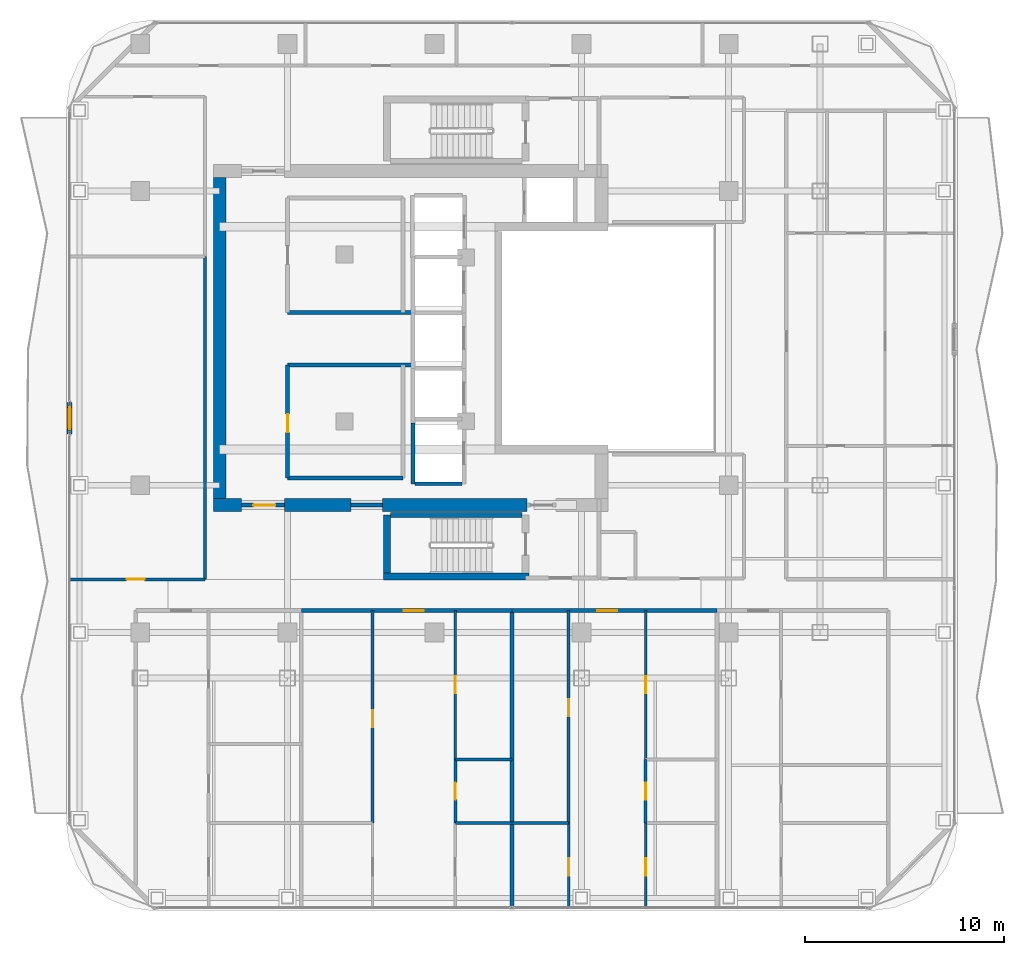
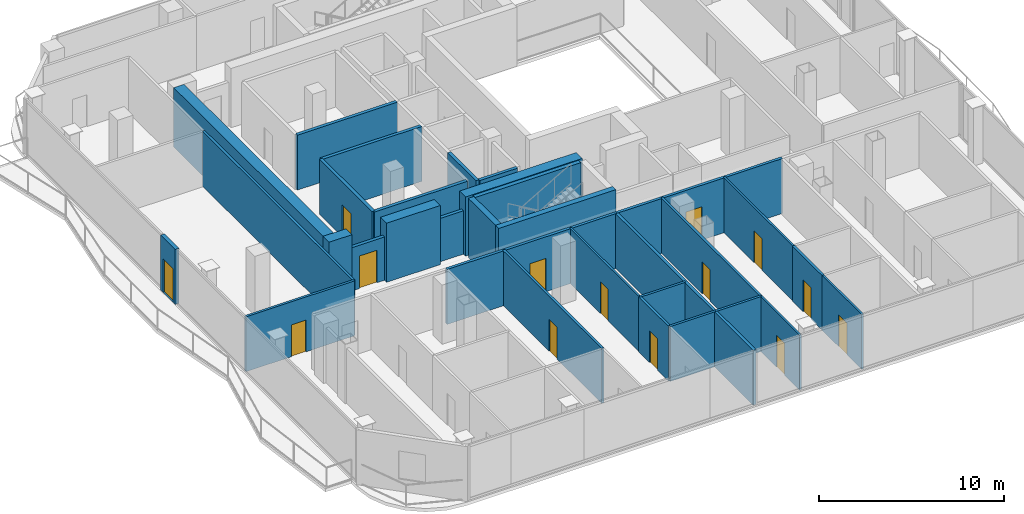
# One storey, part 20 of 26: 32 walls, 14 doors, 14 openings.
"""IFC4 building model written with IfcOpenShell, lengths in metres."""

from ifc_helpers import new_model, si_unit, direction, frame, frame_2d, origin, place, context, subcontext, project, spatial, rectangle, extrude, material, layer, layer_set, type_object, element, fill, save


model = new_model("IFC4")

# Units and contexts
model_context = context("Model", 3, precision=1e-05, world=origin(), true_north=direction((0.0, 1.0)))
body_context = subcontext(model_context, "Body", "Model", "MODEL_VIEW")
ifc_project = project(units=[si_unit("LENGTHUNIT", "METRE"), si_unit("AREAUNIT", "SQUARE_METRE"), si_unit("VOLUMEUNIT", "CUBIC_METRE"), si_unit("PLANEANGLEUNIT", "RADIAN"), si_unit("MASSUNIT", "GRAM", prefix="KILO")], contexts=[model_context])

# Site, building, storey
site_placement = place(None, origin())
site = spatial("IfcSite", under=ifc_project, at=site_placement, CompositionType="ELEMENT")
building_placement = place(site_placement, origin())
building = spatial("IfcBuilding", under=site, at=building_placement, Name="Khorvyn Point Tower", CompositionType="ELEMENT")
storey_placement = place(building_placement, frame((0.0, 0.0, 250.800048828125)))
storey = spatial("IfcBuildingStorey", under=building, at=storey_placement, Name="L61", CompositionType="ELEMENT", Elevation=250.800048828125)

# Wall, opening, door
ifc_material_1 = material(Name="Double acoustic gypsum on twin steel stud", Category="steel")
ifc_layer_1 = layer(ifc_material_1, 0.179931640625)
ifc_layer_set_1 = layer_set([ifc_layer_1], Name="Acoustic Double-Stud Apartment Demising Wall 180")
wall_type_1 = type_object("IfcWallType", Name="Acoustic Double-Stud Apartment Demising Wall 180", PredefinedType="PARTITIONING", material=ifc_layer_set_1)
wall_1_placement = place(storey_placement, frame((-6.695068359375, -13.699951171875, 0.0), z_axis=(0.0, 0.0, 1.0), x_axis=(1.0, 0.0, 0.0)))
wall_1 = element("IfcWall", 1, at=wall_1_placement, inside=storey, type_object=wall_type_1, Name="Wall", PredefinedType="PARTITIONING", context=body_context, shape_type="SweptSolid", body=[
    extrude(rectangle(XDim=10.594970703125, YDim=0.179931640625, at=frame_2d((5.29736328125, 0.0))), origin(), (0.0, 0.0, 1.0), 3.619873046875),
])
opening_1_placement = place(wall_1_placement, frame((5.154296875, 0.0, 0.0)))
opening_1 = element("IfcOpeningElement", 2, at=opening_1_placement, cuts=wall_1, Name="Opening ID-AP60", PredefinedType="OPENING", context=body_context, shape_type="SweptSolid", body=[
    extrude(rectangle(XDim=1.0, YDim=2.199951171875, at=frame_2d((0.5, 1.10009765625))), frame((0.0, 0.099853515625, 0.0), z_axis=(0.0, -1.0, 0.0), x_axis=(1.0, 0.0, 0.0)), (0.0, 0.0, 1.0), 0.199951171875),
])
ifc_material_2 = material(Name="Engineered hardwood fire-rated leaf", Category="wood")
door_type_1 = type_object("IfcDoorType", Name="Acoustic Solid-Core Timber Apartment Entrance Door 1000x2200", OperationType="NOTDEFINED", PredefinedType="DOOR", material=ifc_material_2)
door_1_placement = place(opening_1_placement, origin())
door_1 = element("IfcDoor", 3, at=door_1_placement, inside=storey, type_object=door_type_1, Name="Door", OperationType="SINGLE_SWING_RIGHT", OverallHeight=2.199951171875, OverallWidth=1.0, PredefinedType="DOOR", context=body_context, shape_type="SweptSolid", body=[
    extrude(rectangle(XDim=1.0, YDim=2.199951171875, at=frame_2d((0.5, 1.10009765625))), frame((0.0, 0.02490234375, 0.0), z_axis=(0.0, -1.0, 0.0), x_axis=(1.0, 0.0, 0.0)), (0.0, 0.0, 1.0), 0.050048828125),
])
fill(opening_1, door_1)

wall_2_placement = place(storey_placement, frame((3.89990234375, -13.699951171875, 0.0), z_axis=(0.0, 0.0, 1.0), x_axis=(1.0, 0.0, 0.0)))
wall_2 = element("IfcWall", 4, at=wall_2_placement, inside=storey, type_object=wall_type_1, Name="Wall", PredefinedType="PARTITIONING", context=body_context, shape_type="SweptSolid", body=[
    extrude(rectangle(XDim=10.31103515625, YDim=0.179931640625, at=frame_2d((5.155517578125, 0.0))), origin(), (0.0, 0.0, 1.0), 3.619873046875),
])
opening_2_placement = place(wall_2_placement, frame((4.2958984375, 0.0, 0.0)))
opening_2 = element("IfcOpeningElement", 5, at=opening_2_placement, cuts=wall_2, Name="Opening ID-AP60", PredefinedType="OPENING", context=body_context, shape_type="SweptSolid", body=[
    extrude(rectangle(XDim=1.0, YDim=2.199951171875, at=frame_2d((0.5, 1.10009765625))), frame((0.0, 0.099853515625, 0.0), z_axis=(0.0, -1.0, 0.0), x_axis=(1.0, 0.0, 0.0)), (0.0, 0.0, 1.0), 0.199951171875),
])
door_2_placement = place(opening_2_placement, origin())
door_2 = element("IfcDoor", 6, at=door_2_placement, inside=storey, type_object=door_type_1, Name="Door", OperationType="SINGLE_SWING_RIGHT", OverallHeight=2.199951171875, OverallWidth=1.0, PredefinedType="DOOR", context=body_context, shape_type="SweptSolid", body=[
    extrude(rectangle(XDim=1.0, YDim=2.199951171875, at=frame_2d((0.5, 1.10009765625))), frame((0.0, 0.02490234375, 0.0), z_axis=(0.0, -1.0, 0.0), x_axis=(1.0, 0.0, 0.0)), (0.0, 0.0, 1.0), 0.050048828125),
])
fill(opening_2, door_2)

# Wall
wall_3_placement = place(storey_placement, frame((3.89990234375, -28.6298828125, 0.0), z_axis=(0.0, 0.0, 1.0), x_axis=(0.0, 1.0, 0.0)))
element("IfcWall", 7, at=wall_3_placement, inside=storey, type_object=wall_type_1, Name="Wall", PredefinedType="PARTITIONING", context=body_context, shape_type="SweptSolid", body=[
    extrude(rectangle(XDim=14.929931640625, YDim=0.179931640625, at=frame_2d((7.46484375, 0.0))), origin(), (0.0, 0.0, 1.0), 3.619873046875),
])

# Wall, opening, door
ifc_material_3 = material(Name="Pale anodised aluminium rainscreen on steel stud", Category="steel")
ifc_layer_2 = layer(ifc_material_3, 0.239990234375)
ifc_layer_set_2 = layer_set([ifc_layer_2], Name="Anodised Aluminium Insulated Corner Spandrel Wall 240")
wall_type_2 = type_object("IfcWallType", Name="Anodised Aluminium Insulated Corner Spandrel Wall 240", PredefinedType="SOLIDWALL", material=ifc_layer_set_2)
wall_4_placement = place(storey_placement, frame((-18.35009765625, -4.820068359375, 0.0), z_axis=(0.0, 0.0, 1.0), x_axis=(0.0, 1.0, 0.0)))
wall_4 = element("IfcWall", 8, at=wall_4_placement, inside=storey, type_object=wall_type_2, Name="L61 West Outdoor Threshold Wall", PredefinedType="SOLIDWALL", context=body_context, shape_type="SweptSolid", body=[
    extrude(rectangle(XDim=1.580078125, YDim=0.239990234375, at=frame_2d((0.7900390625, 0.0))), origin(), (0.0, 0.0, 1.0), 3.619873046875),
])
opening_3_placement = place(wall_4_placement, frame((0.239990234375, 0.0, 0.0)))
opening_3 = element("IfcOpeningElement", 9, at=opening_3_placement, cuts=wall_4, Name="Opening BD-1122", PredefinedType="OPENING", context=body_context, shape_type="SweptSolid", body=[
    extrude(rectangle(XDim=1.10009765625, YDim=2.199951171875, at=frame_2d((0.550048828125, 1.10009765625))), frame((0.0, 0.1298828125, 0.0), z_axis=(0.0, -1.0, 0.0), x_axis=(1.0, 0.0, 0.0)), (0.0, 0.0, 1.0), 0.260009765625),
])
ifc_material_4 = material(Name="Anodised aluminium 6063-T6 and laminated Low-E glass", Category="aluminium")
door_type_2 = type_object("IfcDoorType", Name="Glazed Balcony and Terrace Threshold Door 1100x2200", OperationType="NOTDEFINED", PredefinedType="DOOR", material=ifc_material_4)
door_3_placement = place(opening_3_placement, origin())
door_3 = element("IfcDoor", 10, at=door_3_placement, inside=storey, type_object=door_type_2, Name="L61 West Glazed Balcony Outdoor Door", OperationType="SINGLE_SWING_RIGHT", OverallHeight=2.199951171875, OverallWidth=1.10009765625, PredefinedType="DOOR", context=body_context, shape_type="SweptSolid", body=[
    extrude(rectangle(XDim=1.10009765625, YDim=2.199951171875, at=frame_2d((0.550048828125, 1.10009765625))), frame((0.0, 0.02490234375, 0.0), z_axis=(0.0, -1.0, 0.0), x_axis=(1.0, 0.0, 0.0)), (0.0, 0.0, 1.0), 0.050048828125),
])
fill(opening_3, door_3)

# Walls
ifc_material_5 = material(Name="Concrete C40/50", Category="concrete")
ifc_layer_3 = layer(ifc_material_5, 0.64990234375)
ifc_layer_set_3 = layer_set([ifc_layer_3], Name="Concrete C40/50 Core Shear Wall 650")
wall_type_3 = type_object("IfcWallType", Name="Concrete C40/50 Core Shear Wall 650", PredefinedType="SHEAR", material=ifc_layer_set_3)
wall_5_placement = place(storey_placement, frame((-11.125, -8.39990234375, 0.0), z_axis=(0.0, 0.0, 1.0), x_axis=(1.0, 0.0, 0.0)))
element("IfcWall", 11, at=wall_5_placement, inside=storey, type_object=wall_type_3, Name="Wall", PredefinedType="SHEAR", context=body_context, shape_type="SweptSolid", body=[
    extrude(rectangle(XDim=1.425048828125, YDim=0.64990234375, at=frame_2d((0.71240234375, 0.0))), origin(), (0.0, 0.0, 1.0), 3.89990234375),
])
wall_6_placement = place(storey_placement, frame((-7.550048828125, -8.39990234375, 0.0), z_axis=(0.0, 0.0, 1.0), x_axis=(1.0, 0.0, 0.0)))
element("IfcWall", 12, at=wall_6_placement, inside=storey, type_object=wall_type_3, Name="Wall", PredefinedType="SHEAR", context=body_context, shape_type="SweptSolid", body=[
    extrude(rectangle(XDim=3.35009765625, YDim=0.64990234375, at=frame_2d((1.675048828125, 0.0))), origin(), (0.0, 0.0, 1.0), 3.89990234375),
])
wall_7_placement = place(storey_placement, frame((-2.6201171875, -8.39990234375, 0.0), z_axis=(0.0, 0.0, 1.0), x_axis=(1.0, 0.0, 0.0)))
element("IfcWall", 13, at=wall_7_placement, inside=storey, type_object=wall_type_3, Name="Wall", PredefinedType="SHEAR", context=body_context, shape_type="SweptSolid", body=[
    extrude(rectangle(XDim=7.27001953125, YDim=0.64990234375, at=frame_2d((3.635009765625, 0.0))), origin(), (0.0, 0.0, 1.0), 3.89990234375),
])
wall_8_placement = place(storey_placement, frame((-10.800048828125, -8.074951171875, 0.0), z_axis=(0.0, 0.0, 1.0), x_axis=(0.0, 1.0, 0.0)))
element("IfcWall", 14, at=wall_8_placement, inside=storey, type_object=wall_type_3, Name="Wall", PredefinedType="SHEAR", context=body_context, shape_type="SweptSolid", body=[
    extrude(rectangle(XDim=16.14990234375, YDim=0.64990234375, at=frame_2d((8.074951171875, 0.0))), origin(), (0.0, 0.0, 1.0), 3.89990234375),
])

# Wall, opening, door
ifc_layer_4 = layer(ifc_material_5, 0.199951171875)
ifc_layer_set_4 = layer_set([ifc_layer_4], Name="Concrete C40/50 Fire-Lobby Compartment Wall 200")
wall_type_4 = type_object("IfcWallType", Name="Concrete C40/50 Fire-Lobby Compartment Wall 200", PredefinedType="SOLIDWALL", material=ifc_layer_set_4)
wall_9_placement = place(storey_placement, frame((-9.699951171875, -8.39990234375, 0.0), z_axis=(0.0, 0.0, 1.0), x_axis=(1.0, 0.0, 0.0)))
wall_9 = element("IfcWall", 15, at=wall_9_placement, inside=storey, type_object=wall_type_4, Name="Wall", PredefinedType="SOLIDWALL", context=body_context, shape_type="SweptSolid", body=[
    extrude(rectangle(XDim=2.14990234375, YDim=0.199951171875, at=frame_2d((1.074951171875, 0.0))), origin(), (0.0, 0.0, 1.0), 2.85986328125),
])
opening_4_placement = place(wall_9_placement, frame((0.597900390625, 0.0, 0.0)))
opening_4 = element("IfcOpeningElement", 16, at=opening_4_placement, cuts=wall_9, Name="Opening ID-FL90", PredefinedType="OPENING", context=body_context, shape_type="SweptSolid", body=[
    extrude(rectangle(XDim=1.10009765625, YDim=2.14990234375, at=frame_2d((0.550048828125, 1.074951171875))), frame((0.0, 0.10986328125, 0.0), z_axis=(0.0, -1.0, 0.0), x_axis=(1.0, 0.0, 0.0)), (0.0, 0.0, 1.0), 0.219970703125),
])
ifc_material_6 = material(Name="Galvanised powder-coated steel", Category="steel")
door_type_3 = type_object("IfcDoorType", Name="Fire-Rated Steel Lobby and Stair Door 1100x2150", OperationType="NOTDEFINED", PredefinedType="DOOR", material=ifc_material_6)
door_4_placement = place(opening_4_placement, origin())
door_4 = element("IfcDoor", 17, at=door_4_placement, inside=storey, type_object=door_type_3, Name="Door", OperationType="SINGLE_SWING_LEFT", OverallHeight=2.14990234375, OverallWidth=1.10009765625, PredefinedType="DOOR", context=body_context, shape_type="SweptSolid", body=[
    extrude(rectangle(XDim=1.10009765625, YDim=2.14990234375, at=frame_2d((0.550048828125, 1.074951171875))), frame((0.0, 0.02490234375, 0.0), z_axis=(0.0, -1.0, 0.0), x_axis=(1.0, 0.0, 0.0)), (0.0, 0.0, 1.0), 0.050048828125),
])
fill(opening_4, door_4)

wall_10_placement = place(storey_placement, frame((-7.3798828125, -7.0400390625, 0.0), z_axis=(0.0, 0.0, 1.0), x_axis=(0.0, 1.0, 0.0)))
wall_10 = element("IfcWall", 18, at=wall_10_placement, inside=storey, type_object=wall_type_4, Name="Wall", PredefinedType="SOLIDWALL", context=body_context, shape_type="SweptSolid", body=[
    extrude(rectangle(XDim=5.699951171875, YDim=0.199951171875, at=frame_2d((2.85009765625, 0.0))), origin(), (0.0, 0.0, 1.0), 3.619873046875),
])
opening_5_placement = place(wall_10_placement, frame((2.30078125, 0.0, 0.0)))
opening_5 = element("IfcOpeningElement", 19, at=opening_5_placement, cuts=wall_10, Name="Opening ID-RS60", PredefinedType="OPENING", context=body_context, shape_type="SweptSolid", body=[
    extrude(rectangle(XDim=0.919921875, YDim=2.10009765625, at=frame_2d((0.4599609375, 1.050048828125))), frame((0.0, 0.10986328125, 0.0), z_axis=(0.0, -1.0, 0.0), x_axis=(1.0, 0.0, 0.0)), (0.0, 0.0, 1.0), 0.219970703125),
])
door_type_4 = type_object("IfcDoorType", Name="Fire-Rated Riser and Store Steel Door 920x2100", OperationType="NOTDEFINED", PredefinedType="DOOR", material=ifc_material_6)
door_5_placement = place(opening_5_placement, origin())
door_5 = element("IfcDoor", 20, at=door_5_placement, inside=storey, type_object=door_type_4, Name="Door", OperationType="SINGLE_SWING_LEFT", OverallHeight=2.10009765625, OverallWidth=0.919921875, PredefinedType="DOOR", context=body_context, shape_type="SweptSolid", body=[
    extrude(rectangle(XDim=0.919921875, YDim=2.10009765625, at=frame_2d((0.4599609375, 1.050048828125))), frame((0.0, 0.02490234375, 0.0), z_axis=(0.0, -1.0, 0.0), x_axis=(1.0, 0.0, 0.0)), (0.0, 0.0, 1.0), 0.050048828125),
])
fill(opening_5, door_5)

# Walls
wall_11_placement = place(storey_placement, frame((-4.199951171875, -8.39990234375, 0.0), z_axis=(0.0, 0.0, 1.0), x_axis=(1.0, 0.0, 0.0)))
element("IfcWall", 21, at=wall_11_placement, inside=storey, type_object=wall_type_4, Name="Wall", PredefinedType="SOLIDWALL", context=body_context, shape_type="SweptSolid", body=[
    extrude(rectangle(XDim=1.579833984375, YDim=0.199951171875, at=frame_2d((0.7900390625, 0.0))), origin(), (0.0, 0.0, 1.0), 2.85986328125),
])
for number, where, z_axis, x_axis, name in (
    (22, (-7.3798828125, -1.340087890625, 0.0), (0.0, 0.0, 1.0), (1.0, 0.0, 0.0), "Wall"),
    (23, (-7.3798828125, 1.300048828125, 0.0), (0.0, 0.0, 1.0), (1.0, 0.0, 0.0), "Wall"),
):
    element("IfcWall", number, at=place(storey_placement, frame(where, z_axis=z_axis, x_axis=x_axis)), inside=storey, type_object=wall_type_4, Name=name, PredefinedType="SOLIDWALL", context=body_context, shape_type="SweptSolid", body=[
        extrude(rectangle(XDim=6.239990234375, YDim=0.199951171875, at=frame_2d((3.1201171875, 0.0))), origin(), (0.0, 0.0, 1.0), 3.619873046875),
    ])
wall_12_placement = place(storey_placement, frame((-7.3798828125, -7.0400390625, 0.0), z_axis=(0.0, 0.0, 1.0), x_axis=(1.0, 0.0, 0.0)))
element("IfcWall", 24, at=wall_12_placement, inside=storey, type_object=wall_type_4, Name="Wall", PredefinedType="SOLIDWALL", context=body_context, shape_type="SweptSolid", body=[
    extrude(rectangle(XDim=5.7998046875, YDim=0.199951171875, at=frame_2d((2.89990234375, 0.0))), origin(), (0.0, 0.0, 1.0), 3.619873046875),
])
ifc_layer_5 = layer(ifc_material_5, 0.25)
ifc_layer_set_5 = layer_set([ifc_layer_5], Name="Concrete C40/50 Stair Inner Cheek Structural Wall 250")
wall_type_5 = type_object("IfcWallType", Name="Concrete C40/50 Stair Inner Cheek Structural Wall 250", PredefinedType="SHEAR", material=ifc_layer_set_5)
wall_13_placement = place(storey_placement, frame((-2.199951171875, -8.89990234375, 0.0), z_axis=(0.0, 0.0, 1.0), x_axis=(1.0, 0.0, 0.0)))
element("IfcWall", 25, at=wall_13_placement, inside=storey, type_object=wall_type_5, Name="Wall", PredefinedType="SHEAR", context=body_context, shape_type="SweptSolid", body=[
    extrude(rectangle(XDim=6.599853515625, YDim=0.25, at=frame_2d((3.2998046875, 0.0))), origin(), (0.0, 0.0, 1.0), 3.89990234375),
])
ifc_layer_6 = layer(ifc_material_5, 0.35009765625)
ifc_layer_set_6 = layer_set([ifc_layer_6], Name="Concrete C40/50 Stair Shaft Structural Wall 350")
wall_type_6 = type_object("IfcWallType", Name="Concrete C40/50 Stair Shaft Structural Wall 350", PredefinedType="SHEAR", material=ifc_layer_set_6)
wall_14_placement = place(storey_placement, frame((-2.554931640625, -12.0, 0.0), z_axis=(0.0, 0.0, 1.0), x_axis=(1.0, 0.0, 0.0)))
element("IfcWall", 26, at=wall_14_placement, inside=storey, type_object=wall_type_6, Name="L61 ST-01 South Shaft Wall", PredefinedType="SHEAR", context=body_context, shape_type="SweptSolid", body=[
    extrude(rectangle(XDim=7.309814453125, YDim=0.35009765625, at=frame_2d((3.65478515625, 0.0))), origin(), (0.0, 0.0, 1.0), 3.89990234375),
])
wall_15_placement = place(storey_placement, frame((-2.3798828125, -11.824951171875, 0.0), z_axis=(0.0, 0.0, 1.0), x_axis=(0.0, 1.0, 0.0)))
element("IfcWall", 27, at=wall_15_placement, inside=storey, type_object=wall_type_6, Name="L61 ST-01 West Shaft Wall", PredefinedType="SHEAR", context=body_context, shape_type="SweptSolid", body=[
    extrude(rectangle(XDim=2.925048828125, YDim=0.35009765625, at=frame_2d((1.46240234375, 0.0))), origin(), (0.0, 0.0, 1.0), 3.89990234375),
])
ifc_layer_7 = layer(ifc_material_5, 0.199951171875)
ifc_layer_set_7 = layer_set([ifc_layer_7], Name="Concrete C40/50 Structural Hoistway and Stair Shaft Wall 200")
wall_type_7 = type_object("IfcWallType", Name="Concrete C40/50 Structural Hoistway and Stair Shaft Wall 200", PredefinedType="SHEAR", material=ifc_layer_set_7)
wall_16_placement = place(storey_placement, frame((-1.074951171875, -7.324951171875, 0.0), z_axis=(0.0, 0.0, 1.0), x_axis=(0.0, 1.0, 0.0)))
element("IfcWall", 28, at=wall_16_placement, inside=storey, type_object=wall_type_7, Name="Wall", PredefinedType="SHEAR", context=body_context, shape_type="SweptSolid", body=[
    extrude(rectangle(XDim=3.050048828125, YDim=0.199951171875, at=frame_2d((1.52490234375, 0.0))), origin(), (0.0, 0.0, 1.0), 3.619873046875),
])
wall_17_placement = place(storey_placement, frame((-0.97509765625, -7.324951171875, 0.0), z_axis=(0.0, 0.0, 1.0), x_axis=(1.0, 0.0, 0.0)))
element("IfcWall", 29, at=wall_17_placement, inside=storey, type_object=wall_type_7, Name="Wall", PredefinedType="SHEAR", context=body_context, shape_type="SweptSolid", body=[
    extrude(rectangle(XDim=2.35009765625, YDim=0.199951171875, at=frame_2d((1.175048828125, 0.0))), origin(), (0.0, 0.0, 1.0), 3.619873046875),
])

# Wall, opening, door
ifc_material_7 = material(Name="Gypsum plasterboard on steel stud", Category="steel")
ifc_layer_8 = layer(ifc_material_7, 0.1201171875)
ifc_layer_set_8 = layer_set([ifc_layer_8], Name="Gypsum Acoustic Stud Room Partition Wall 120")
wall_type_8 = type_object("IfcWallType", Name="Gypsum Acoustic Stud Room Partition Wall 120", PredefinedType="PARTITIONING", material=ifc_layer_set_8)
wall_18_placement = place(storey_placement, frame((1.050048828125, -21.18310546875, 0.0), z_axis=(0.0, 0.0, 1.0), x_axis=(0.0, 1.0, 0.0)))
wall_18 = element("IfcWall", 30, at=wall_18_placement, inside=storey, type_object=wall_type_8, Name="Wall", PredefinedType="PARTITIONING", context=body_context, shape_type="SweptSolid", body=[
    extrude(rectangle(XDim=7.483154296875, YDim=0.1201171875, at=frame_2d((3.74169921875, 0.0))), origin(), (0.0, 0.0, 1.0), 3.619873046875),
])
opening_6_placement = place(wall_18_placement, frame((3.31640625, 0.0, 0.0)))
opening_6 = element("IfcOpeningElement", 31, at=opening_6_placement, cuts=wall_18, Name="Opening ID-WC85", PredefinedType="OPENING", context=body_context, shape_type="SweptSolid", body=[
    extrude(rectangle(XDim=0.85009765625, YDim=2.10009765625, at=frame_2d((0.425048828125, 1.050048828125))), frame((0.0, 0.070068359375, 0.0), z_axis=(0.0, -1.0, 0.0), x_axis=(1.0, 0.0, 0.0)), (0.0, 0.0, 1.0), 0.14013671875),
])
ifc_material_8 = material(Name="High-pressure laminate on moisture-resistant core", Category="wood")
door_type_5 = type_object("IfcDoorType", Name="Moisture-Resistant Accessible Washroom Door 850x2100", OperationType="NOTDEFINED", PredefinedType="DOOR", material=ifc_material_8)
door_6_placement = place(opening_6_placement, origin())
door_6 = element("IfcDoor", 32, at=door_6_placement, inside=storey, type_object=door_type_5, Name="Door", OperationType="SINGLE_SWING_RIGHT", OverallHeight=2.10009765625, OverallWidth=0.85009765625, PredefinedType="DOOR", context=body_context, shape_type="SweptSolid", body=[
    extrude(rectangle(XDim=0.85009765625, YDim=2.10009765625, at=frame_2d((0.425048828125, 1.050048828125))), frame((0.0, 0.02490234375, 0.0), z_axis=(0.0, -1.0, 0.0), x_axis=(1.0, 0.0, 0.0)), (0.0, 0.0, 1.0), 0.050048828125),
])
fill(opening_6, door_6)

wall_19_placement = place(storey_placement, frame((6.75, -28.6298828125, 0.0), z_axis=(0.0, 0.0, 1.0), x_axis=(0.0, 1.0, 0.0)))
wall_19 = element("IfcWall", 33, at=wall_19_placement, inside=storey, type_object=wall_type_8, Name="Wall", PredefinedType="PARTITIONING", context=body_context, shape_type="SweptSolid", body=[
    extrude(rectangle(XDim=4.239990234375, YDim=0.1201171875, at=frame_2d((2.1201171875, 0.0))), origin(), (0.0, 0.0, 1.0), 3.619873046875),
])
opening_7_placement = place(wall_19_placement, frame((1.581298828125, 0.0, 0.0)))
opening_7 = element("IfcOpeningElement", 34, at=opening_7_placement, cuts=wall_19, Name="Opening ID-RM90", PredefinedType="OPENING", context=body_context, shape_type="SweptSolid", body=[
    extrude(rectangle(XDim=0.89990234375, YDim=2.10009765625, at=frame_2d((0.449951171875, 1.050048828125))), frame((0.0, 0.070068359375, 0.0), z_axis=(0.0, -1.0, 0.0), x_axis=(1.0, 0.0, 0.0)), (0.0, 0.0, 1.0), 0.14013671875),
])
ifc_material_9 = material(Name="Engineered oak veneer timber", Category="wood")
door_type_6 = type_object("IfcDoorType", Name="Flush Engineered Timber Room Door 900x2100", OperationType="NOTDEFINED", PredefinedType="DOOR", material=ifc_material_9)
door_7_placement = place(opening_7_placement, origin())
door_7 = element("IfcDoor", 35, at=door_7_placement, inside=storey, type_object=door_type_6, Name="Door", OperationType="SINGLE_SWING_RIGHT", OverallHeight=2.10009765625, OverallWidth=0.89990234375, PredefinedType="DOOR", context=body_context, shape_type="SweptSolid", body=[
    extrude(rectangle(XDim=0.89990234375, YDim=2.10009765625, at=frame_2d((0.449951171875, 1.050048828125))), frame((0.0, 0.02490234375, 0.0), z_axis=(0.0, -1.0, 0.0), x_axis=(1.0, 0.0, 0.0)), (0.0, 0.0, 1.0), 0.050048828125),
])
fill(opening_7, door_7)

wall_20_placement = place(storey_placement, frame((10.625, -21.18310546875, 0.0), z_axis=(0.0, 0.0, 1.0), x_axis=(0.0, 1.0, 0.0)))
wall_20 = element("IfcWall", 36, at=wall_20_placement, inside=storey, type_object=wall_type_8, Name="Wall", PredefinedType="PARTITIONING", context=body_context, shape_type="SweptSolid", body=[
    extrude(rectangle(XDim=7.483154296875, YDim=0.1201171875, at=frame_2d((3.74169921875, 0.0))), origin(), (0.0, 0.0, 1.0), 3.619873046875),
])
opening_8_placement = place(wall_20_placement, frame((3.31640625, 0.0, 0.0)))
opening_8 = element("IfcOpeningElement", 37, at=opening_8_placement, cuts=wall_20, Name="Opening ID-WC85", PredefinedType="OPENING", context=body_context, shape_type="SweptSolid", body=[
    extrude(rectangle(XDim=0.85009765625, YDim=2.10009765625, at=frame_2d((0.425048828125, 1.050048828125))), frame((0.0, 0.070068359375, 0.0), z_axis=(0.0, -1.0, 0.0), x_axis=(1.0, 0.0, 0.0)), (0.0, 0.0, 1.0), 0.14013671875),
])
door_8_placement = place(opening_8_placement, origin())
door_8 = element("IfcDoor", 38, at=door_8_placement, inside=storey, type_object=door_type_5, Name="Door", OperationType="SINGLE_SWING_RIGHT", OverallHeight=2.10009765625, OverallWidth=0.85009765625, PredefinedType="DOOR", context=body_context, shape_type="SweptSolid", body=[
    extrude(rectangle(XDim=0.85009765625, YDim=2.10009765625, at=frame_2d((0.425048828125, 1.050048828125))), frame((0.0, 0.02490234375, 0.0), z_axis=(0.0, -1.0, 0.0), x_axis=(1.0, 0.0, 0.0)), (0.0, 0.0, 1.0), 0.050048828125),
])
fill(opening_8, door_8)

wall_21_placement = place(storey_placement, frame((10.625, -28.6298828125, 0.0), z_axis=(0.0, 0.0, 1.0), x_axis=(0.0, 1.0, 0.0)))
wall_21 = element("IfcWall", 39, at=wall_21_placement, inside=storey, type_object=wall_type_8, Name="Wall", PredefinedType="PARTITIONING", context=body_context, shape_type="SweptSolid", body=[
    extrude(rectangle(XDim=4.239990234375, YDim=0.1201171875, at=frame_2d((2.1201171875, 0.0))), origin(), (0.0, 0.0, 1.0), 3.619873046875),
])
opening_9_placement = place(wall_21_placement, frame((1.581298828125, 0.0, 0.0)))
opening_9 = element("IfcOpeningElement", 40, at=opening_9_placement, cuts=wall_21, Name="Opening ID-RM90", PredefinedType="OPENING", context=body_context, shape_type="SweptSolid", body=[
    extrude(rectangle(XDim=0.89990234375, YDim=2.10009765625, at=frame_2d((0.449951171875, 1.050048828125))), frame((0.0, 0.070068359375, 0.0), z_axis=(0.0, -1.0, 0.0), x_axis=(1.0, 0.0, 0.0)), (0.0, 0.0, 1.0), 0.14013671875),
])
door_9_placement = place(opening_9_placement, origin())
door_9 = element("IfcDoor", 41, at=door_9_placement, inside=storey, type_object=door_type_6, Name="Door", OperationType="SINGLE_SWING_LEFT", OverallHeight=2.10009765625, OverallWidth=0.89990234375, PredefinedType="DOOR", context=body_context, shape_type="SweptSolid", body=[
    extrude(rectangle(XDim=0.89990234375, YDim=2.10009765625, at=frame_2d((0.449951171875, 1.050048828125))), frame((0.0, 0.02490234375, 0.0), z_axis=(0.0, -1.0, 0.0), x_axis=(1.0, 0.0, 0.0)), (0.0, 0.0, 1.0), 0.050048828125),
])
fill(opening_9, door_9)

ifc_material_10 = material(Name="Moisture-resistant gypsum and cement board", Category="gypsum")
ifc_layer_9 = layer(ifc_material_10, 0.14990234375)
ifc_layer_set_9 = layer_set([ifc_layer_9], Name="Moisture-Resistant Wet-Room Partition Wall 150")
wall_type_9 = type_object("IfcWallType", Name="Moisture-Resistant Wet-Room Partition Wall 150", PredefinedType="PARTITIONING", material=ifc_layer_set_9)
wall_22_placement = place(storey_placement, frame((-3.114013671875, -24.389892578125, 0.0), z_axis=(0.0, 0.0, 1.0), x_axis=(0.0, 1.0, 0.0)))
wall_22 = element("IfcWall", 42, at=wall_22_placement, inside=storey, type_object=wall_type_9, Name="Wall", PredefinedType="PARTITIONING", context=body_context, shape_type="SweptSolid", body=[
    extrude(rectangle(XDim=10.68994140625, YDim=0.14990234375, at=frame_2d((5.344970703125, 0.0))), origin(), (0.0, 0.0, 1.0), 3.619873046875),
])
opening_10_placement = place(wall_22_placement, frame((4.830078125, 0.0, 0.0)))
opening_10 = element("IfcOpeningElement", 43, at=opening_10_placement, cuts=wall_22, Name="Opening ID-WC85", PredefinedType="OPENING", context=body_context, shape_type="SweptSolid", body=[
    extrude(rectangle(XDim=0.85009765625, YDim=2.10009765625, at=frame_2d((0.425048828125, 1.050048828125))), frame((0.0, 0.0849609375, 0.0), z_axis=(0.0, -1.0, 0.0), x_axis=(1.0, 0.0, 0.0)), (0.0, 0.0, 1.0), 0.169921875),
])
door_10_placement = place(opening_10_placement, origin())
door_10 = element("IfcDoor", 44, at=door_10_placement, inside=storey, type_object=door_type_5, Name="Door", OperationType="SINGLE_SWING_LEFT", OverallHeight=2.10009765625, OverallWidth=0.85009765625, PredefinedType="DOOR", context=body_context, shape_type="SweptSolid", body=[
    extrude(rectangle(XDim=0.85009765625, YDim=2.10009765625, at=frame_2d((0.425048828125, 1.050048828125))), frame((0.0, 0.02490234375, 0.0), z_axis=(0.0, -1.0, 0.0), x_axis=(1.0, 0.0, 0.0)), (0.0, 0.0, 1.0), 0.050048828125),
])
fill(opening_10, door_10)

wall_23_placement = place(storey_placement, frame((1.050048828125, -24.389892578125, 0.0), z_axis=(0.0, 0.0, 1.0), x_axis=(0.0, 1.0, 0.0)))
wall_23 = element("IfcWall", 45, at=wall_23_placement, inside=storey, type_object=wall_type_9, Name="Wall", PredefinedType="PARTITIONING", context=body_context, shape_type="SweptSolid", body=[
    extrude(rectangle(XDim=3.206787109375, YDim=0.14990234375, at=frame_2d((1.603515625, 0.0))), origin(), (0.0, 0.0, 1.0), 3.619873046875),
])
opening_11_placement = place(wall_23_placement, frame((1.178466796875, 0.0, 0.0)))
opening_11 = element("IfcOpeningElement", 46, at=opening_11_placement, cuts=wall_23, Name="Opening ID-WC85", PredefinedType="OPENING", context=body_context, shape_type="SweptSolid", body=[
    extrude(rectangle(XDim=0.85009765625, YDim=2.10009765625, at=frame_2d((0.425048828125, 1.050048828125))), frame((0.0, 0.0849609375, 0.0), z_axis=(0.0, -1.0, 0.0), x_axis=(1.0, 0.0, 0.0)), (0.0, 0.0, 1.0), 0.169921875),
])
door_11_placement = place(opening_11_placement, origin())
door_11 = element("IfcDoor", 47, at=door_11_placement, inside=storey, type_object=door_type_5, Name="Door", OperationType="SINGLE_SWING_LEFT", OverallHeight=2.10009765625, OverallWidth=0.85009765625, PredefinedType="DOOR", context=body_context, shape_type="SweptSolid", body=[
    extrude(rectangle(XDim=0.85009765625, YDim=2.10009765625, at=frame_2d((0.425048828125, 1.050048828125))), frame((0.0, 0.02490234375, 0.0), z_axis=(0.0, -1.0, 0.0), x_axis=(1.0, 0.0, 0.0)), (0.0, 0.0, 1.0), 0.050048828125),
])
fill(opening_11, door_11)

wall_24_placement = place(storey_placement, frame((6.75, -24.389892578125, 0.0), z_axis=(0.0, 0.0, 1.0), x_axis=(0.0, 1.0, 0.0)))
wall_24 = element("IfcWall", 48, at=wall_24_placement, inside=storey, type_object=wall_type_9, Name="Wall", PredefinedType="PARTITIONING", context=body_context, shape_type="SweptSolid", body=[
    extrude(rectangle(XDim=10.68994140625, YDim=0.14990234375, at=frame_2d((5.344970703125, 0.0))), origin(), (0.0, 0.0, 1.0), 3.619873046875),
])
opening_12_placement = place(wall_24_placement, frame((5.369140625, 0.0, 0.0)))
opening_12 = element("IfcOpeningElement", 49, at=opening_12_placement, cuts=wall_24, Name="Opening ID-WC85", PredefinedType="OPENING", context=body_context, shape_type="SweptSolid", body=[
    extrude(rectangle(XDim=0.85009765625, YDim=2.10009765625, at=frame_2d((0.425048828125, 1.050048828125))), frame((0.0, 0.0849609375, 0.0), z_axis=(0.0, -1.0, 0.0), x_axis=(1.0, 0.0, 0.0)), (0.0, 0.0, 1.0), 0.169921875),
])
door_12_placement = place(opening_12_placement, origin())
door_12 = element("IfcDoor", 50, at=door_12_placement, inside=storey, type_object=door_type_5, Name="Door", OperationType="SINGLE_SWING_LEFT", OverallHeight=2.10009765625, OverallWidth=0.85009765625, PredefinedType="DOOR", context=body_context, shape_type="SweptSolid", body=[
    extrude(rectangle(XDim=0.85009765625, YDim=2.10009765625, at=frame_2d((0.425048828125, 1.050048828125))), frame((0.0, 0.02490234375, 0.0), z_axis=(0.0, -1.0, 0.0), x_axis=(1.0, 0.0, 0.0)), (0.0, 0.0, 1.0), 0.050048828125),
])
fill(opening_12, door_12)

wall_25_placement = place(storey_placement, frame((10.625, -24.389892578125, 0.0), z_axis=(0.0, 0.0, 1.0), x_axis=(0.0, 1.0, 0.0)))
wall_25 = element("IfcWall", 51, at=wall_25_placement, inside=storey, type_object=wall_type_9, Name="Wall", PredefinedType="PARTITIONING", context=body_context, shape_type="SweptSolid", body=[
    extrude(rectangle(XDim=3.206787109375, YDim=0.14990234375, at=frame_2d((1.603515625, 0.0))), origin(), (0.0, 0.0, 1.0), 3.619873046875),
])
opening_13_placement = place(wall_25_placement, frame((1.178466796875, 0.0, 0.0)))
opening_13 = element("IfcOpeningElement", 52, at=opening_13_placement, cuts=wall_25, Name="Opening ID-WC85", PredefinedType="OPENING", context=body_context, shape_type="SweptSolid", body=[
    extrude(rectangle(XDim=0.85009765625, YDim=2.10009765625, at=frame_2d((0.425048828125, 1.050048828125))), frame((0.0, 0.0849609375, 0.0), z_axis=(0.0, -1.0, 0.0), x_axis=(1.0, 0.0, 0.0)), (0.0, 0.0, 1.0), 0.169921875),
])
door_13_placement = place(opening_13_placement, origin())
door_13 = element("IfcDoor", 53, at=door_13_placement, inside=storey, type_object=door_type_5, Name="Door", OperationType="SINGLE_SWING_LEFT", OverallHeight=2.10009765625, OverallWidth=0.85009765625, PredefinedType="DOOR", context=body_context, shape_type="SweptSolid", body=[
    extrude(rectangle(XDim=0.85009765625, YDim=2.10009765625, at=frame_2d((0.425048828125, 1.050048828125))), frame((0.0, 0.02490234375, 0.0), z_axis=(0.0, -1.0, 0.0), x_axis=(1.0, 0.0, 0.0)), (0.0, 0.0, 1.0), 0.050048828125),
])
fill(opening_13, door_13)

wall_26_placement = place(storey_placement, frame((-18.330078125, -12.139892578125, 0.0), z_axis=(0.0, 0.0, 1.0), x_axis=(1.0, 0.0, 0.0)))
wall_26 = element("IfcWall", 54, at=wall_26_placement, inside=storey, type_object=wall_type_9, Name="Wall", PredefinedType="PARTITIONING", context=body_context, shape_type="SweptSolid", body=[
    extrude(rectangle(XDim=6.780029296875, YDim=0.14990234375, at=frame_2d((3.39013671875, 0.0))), origin(), (0.0, 0.0, 1.0), 3.619873046875),
])
opening_14_placement = place(wall_26_placement, frame((2.850341796875, 0.0, 0.0)))
opening_14 = element("IfcOpeningElement", 55, at=opening_14_placement, cuts=wall_26, Name="Opening ID-RM90", PredefinedType="OPENING", context=body_context, shape_type="SweptSolid", body=[
    extrude(rectangle(XDim=0.89990234375, YDim=2.10009765625, at=frame_2d((0.449951171875, 1.050048828125))), frame((0.0, 0.0849609375, 0.0), z_axis=(0.0, -1.0, 0.0), x_axis=(1.0, 0.0, 0.0)), (0.0, 0.0, 1.0), 0.169921875),
])
door_14_placement = place(opening_14_placement, origin())
door_14 = element("IfcDoor", 56, at=door_14_placement, inside=storey, type_object=door_type_6, Name="Door", OperationType="SINGLE_SWING_RIGHT", OverallHeight=2.10009765625, OverallWidth=0.89990234375, PredefinedType="DOOR", context=body_context, shape_type="SweptSolid", body=[
    extrude(rectangle(XDim=0.89990234375, YDim=2.10009765625, at=frame_2d((0.449951171875, 1.050048828125))), frame((0.0, 0.02490234375, 0.0), z_axis=(0.0, -1.0, 0.0), x_axis=(1.0, 0.0, 0.0)), (0.0, 0.0, 1.0), 0.050048828125),
])
fill(opening_14, door_14)

# Walls
for number, where, z_axis, x_axis, name in (
    (57, (1.050048828125, -21.18310546875, 0.0), (0.0, 0.0, 1.0), (1.0, 0.0, 0.0), "Wall"),
    (58, (1.050048828125, -24.389892578125, 0.0), (0.0, 0.0, 1.0), (1.0, 0.0, 0.0), "Wall"),
):
    element("IfcWall", number, at=place(storey_placement, frame(where, z_axis=z_axis, x_axis=x_axis)), inside=storey, type_object=wall_type_9, Name=name, PredefinedType="PARTITIONING", context=body_context, shape_type="SweptSolid", body=[
        extrude(rectangle(XDim=2.849853515625, YDim=0.14990234375, at=frame_2d((1.4248046875, 0.0))), origin(), (0.0, 0.0, 1.0), 3.619873046875),
    ])
wall_27_placement = place(storey_placement, frame((3.89990234375, -24.389892578125, 0.0), z_axis=(0.0, 0.0, 1.0), x_axis=(1.0, 0.0, 0.0)))
element("IfcWall", 59, at=wall_27_placement, inside=storey, type_object=wall_type_9, Name="Wall", PredefinedType="PARTITIONING", context=body_context, shape_type="SweptSolid", body=[
    extrude(rectangle(XDim=2.85009765625, YDim=0.14990234375, at=frame_2d((1.425048828125, 0.0))), origin(), (0.0, 0.0, 1.0), 3.619873046875),
])
wall_28_placement = place(storey_placement, frame((-11.550048828125, -12.139892578125, 0.0), z_axis=(0.0, 0.0, 1.0), x_axis=(0.0, 1.0, 0.0)))
element("IfcWall", 60, at=wall_28_placement, inside=storey, type_object=wall_type_9, Name="Wall", PredefinedType="PARTITIONING", context=body_context, shape_type="SweptSolid", body=[
    extrude(rectangle(XDim=16.239990234375, YDim=0.14990234375, at=frame_2d((8.1201171875, 0.0))), origin(), (0.0, 0.0, 1.0), 3.619873046875),
])

save(model, "model.ifc")
